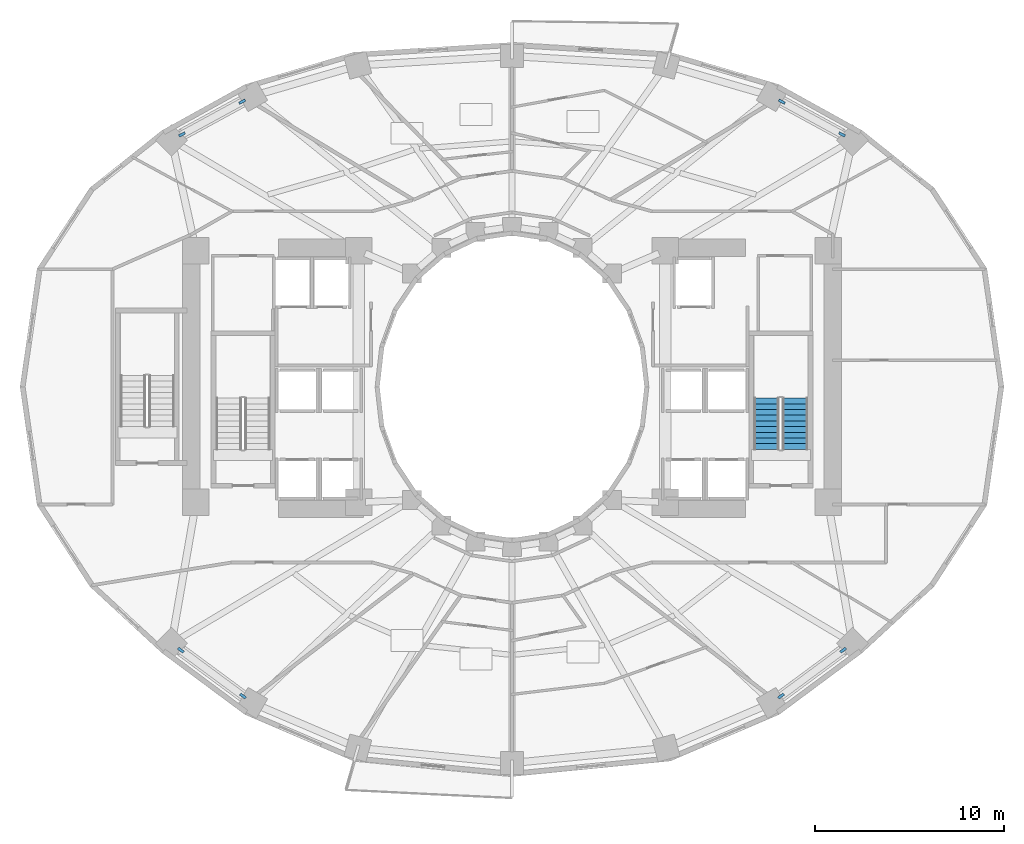
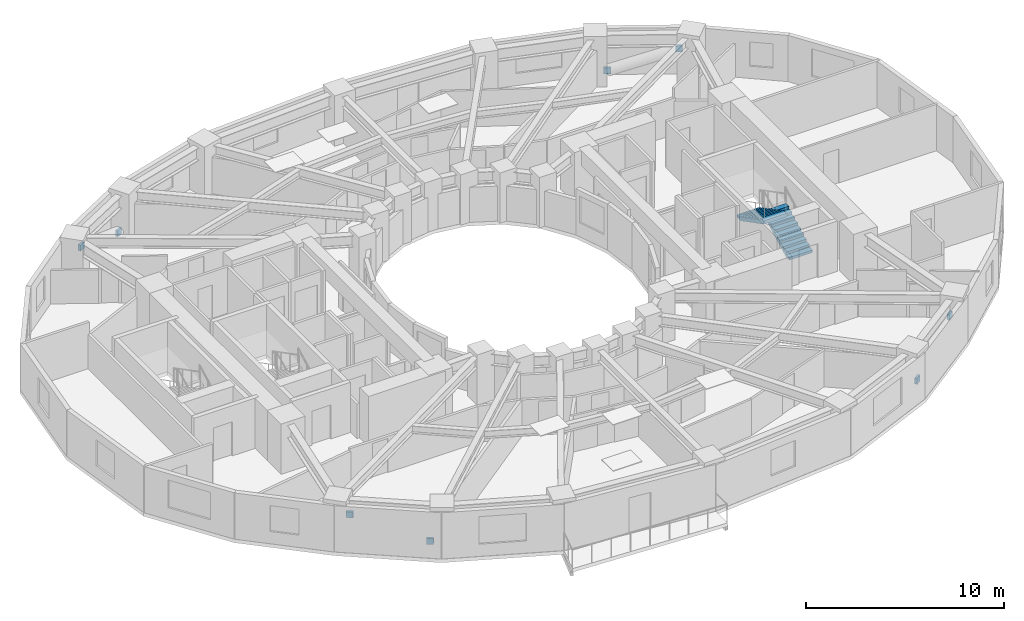
# One storey, part 8 of 10: 8 discrete accessories, 2 stair flights, 1 element without a shape of its own.
"""IFC4 building model written with IfcOpenShell, lengths in metres."""

from ifc_helpers import new_model, si_unit, direction, frame, origin, origin_2d, place, context, subcontext, project, spatial, polyline, rectangle, outline, extrude, material, layer, layer_set, type_object, element, aggregate, save


model = new_model("IFC4")

# Units and contexts
model_context = context("Model", 3, precision=1e-05, world=origin(), true_north=direction((0.0, 1.0)))
body_context = subcontext(model_context, "Body", "Model", "MODEL_VIEW")
ifc_project = project(units=[si_unit("LENGTHUNIT", "METRE"), si_unit("AREAUNIT", "SQUARE_METRE"), si_unit("VOLUMEUNIT", "CUBIC_METRE"), si_unit("PLANEANGLEUNIT", "RADIAN"), si_unit("MASSUNIT", "GRAM", prefix="KILO")], contexts=[model_context])

# Site, building, storey
site_placement = place(None, origin())
site = spatial("IfcSite", under=ifc_project, at=site_placement, CompositionType="ELEMENT")
building_placement = place(site_placement, origin())
building = spatial("IfcBuilding", under=site, at=building_placement, Name="Solvane Sanctuary Tower", CompositionType="ELEMENT")
storey_placement = place(building_placement, frame((0.0, 0.0, 58.60009765625)))
storey = spatial("IfcBuildingStorey", under=building, at=storey_placement, Name="L17", CompositionType="ELEMENT", Elevation=58.60009765625)

# Stair, stair flights
ifc_material_1 = material(Name="Concrete C45/55", Category="concrete")
stair_type = type_object("IfcStairType", Name="Stair ST-TOW", PredefinedType="HALF_TURN_STAIR", material=ifc_material_1)
stair_placement = place(storey_placement, origin())
stair = element("IfcStair", 1, at=stair_placement, inside=storey, type_object=stair_type, Name="L17 Exit Stair ST-2 East Core", PredefinedType="HALF_TURN_STAIR")
stair_flight_type = type_object("IfcStairFlightType", Name="StairFlight SF-TOW", PredefinedType="STRAIGHT", material=ifc_material_1)
stair_flight_1_placement = place(storey_placement, frame((46.965087890625, 19.699951171875, 0.0), z_axis=(0.0, 0.0, 1.0), x_axis=(0.0, 1.0, 0.0)))
stair_flight_1 = element("IfcStairFlight", 2, at=stair_flight_1_placement, type_object=stair_flight_type, Name="ST-2 flight 1", NumberOfRisers=10, NumberOfTreads=9, PredefinedType="STRAIGHT", RiserHeight=0.155, TreadLength=0.3, context=body_context, shape_type="SweptSolid", body=[
    extrude(outline(polyline([(0.0, 0.0), (0.0, 0.155029296875), (0.300048828125, 0.155029296875), (0.300048828125, 0.31005859375), (0.60009765625, 0.31005859375), (0.60009765625, 0.465087890625), (0.89990234375, 0.465087890625), (0.89990234375, 0.6201171875), (1.199951171875, 0.6201171875), (1.199951171875, 0.77490234375), (1.5, 0.77490234375), (1.5, 0.929931640625), (1.800048828125, 0.929931640625), (1.800048828125, 1.0849609375), (2.10009765625, 1.0849609375), (2.10009765625, 1.239990234375), (2.39990234375, 1.239990234375), (2.39990234375, 1.39501953125), (2.699951171875, 1.39501953125), (2.699951171875, 1.550048828125), (2.699951171875, 1.1923828125), (0.39208984375, 0.0), (0.0, 0.0)])), frame((0.0, 0.675048828125, 0.0), z_axis=(0.0, -1.0, 0.0), x_axis=(1.0, 0.0, 0.0)), (0.0, 0.0, 1.0), 1.35009765625),
])
stair_flight_2_placement = place(storey_placement, frame((45.455078125, 22.39990234375, 1.5498046875), z_axis=(0.0, 0.0, 1.0), x_axis=(0.0, -1.0, 0.0)))
stair_flight_2 = element("IfcStairFlight", 3, at=stair_flight_2_placement, type_object=stair_flight_type, Name="ST-2 flight 2", NumberOfRisers=10, NumberOfTreads=9, PredefinedType="STRAIGHT", RiserHeight=0.155, TreadLength=0.3, context=body_context, shape_type="SweptSolid", body=[
    extrude(outline(polyline([(0.0, 0.0), (0.0, 0.155029296875), (0.300048828125, 0.155029296875), (0.300048828125, 0.31005859375), (0.60009765625, 0.31005859375), (0.60009765625, 0.465087890625), (0.89990234375, 0.465087890625), (0.89990234375, 0.6201171875), (1.199951171875, 0.6201171875), (1.199951171875, 0.77490234375), (1.5, 0.77490234375), (1.5, 0.929931640625), (1.800048828125, 0.929931640625), (1.800048828125, 1.0849609375), (2.10009765625, 1.0849609375), (2.10009765625, 1.239990234375), (2.39990234375, 1.239990234375), (2.39990234375, 1.39501953125), (2.699951171875, 1.39501953125), (2.699951171875, 1.550048828125), (2.699951171875, 1.1923828125), (0.39208984375, 0.0), (0.0, 0.0)])), frame((0.0, 0.675048828125, 0.0), z_axis=(0.0, -1.0, 0.0), x_axis=(1.0, 0.0, 0.0)), (0.0, 0.0, 1.0), 1.35009765625),
])
aggregate(stair, [stair_flight_1, stair_flight_2])

# Discrete accessories
ifc_material_2 = material(Name="Steel ASTM A572 Grade 50", Category="steel")
ifc_layer = layer(ifc_material_2, 0.360107421875, Name="Steel ASTM A572 Grade 50")
ifc_layer_set = layer_set([ifc_layer], Name="Steel ASTM A572 Grade 50")
discrete_accessory_type = type_object("IfcDiscreteAccessoryType", Name="Accessory ACC-GUSSET-BRK", PredefinedType="BRACKET", material=ifc_layer_set)
for number, where, z_axis, x_axis, name in (
    (4, (46.25830078125, 38.070068359375, 0.4140625), (0.0, 0.0, 1.0), (0.878066509545, -0.478538613714, 0.0), "L17 Perimeter Braced-Tube Diagonal NE End Gusset Bracket A"),
    (5, (49.438232421875, 36.3369140625, 1.69580078125), (0.0, 0.0, 1.0), (0.878066509545, -0.478538613714, 0.0), "L17 Perimeter Braced-Tube Diagonal NE End Gusset Bracket B"),
    (6, (17.74169921875, 38.070068359375, 0.4140625), (0.0, 0.0, 1.0), (-0.878066509545, -0.478538613714, 0.0), "L17 Perimeter Braced-Tube Diagonal NW End Gusset Bracket A"),
    (7, (14.561767578125, 36.3369140625, 1.69580078125), (0.0, 0.0, 1.0), (-0.878066509545, -0.478538613714, 0.0), "L17 Perimeter Braced-Tube Diagonal NW End Gusset Bracket B"),
    (8, (17.783203125, 6.65771484375, 0.3974609375), (0.0, 0.0, 1.0), (-0.804271929332, 0.594261443885, 0.0), "L17 Perimeter Braced-Tube Diagonal SW End Gusset Bracket A"),
    (9, (14.500244140625, 9.0830078125, 1.720703125), (0.0, 0.0, 1.0), (-0.804271929332, 0.594261443885, 0.0), "L17 Perimeter Braced-Tube Diagonal SW End Gusset Bracket B"),
    (10, (46.216796875, 6.65771484375, 0.3974609375), (0.0, 0.0, 1.0), (0.804271929332, 0.594261443885, 0.0), "L17 Perimeter Braced-Tube Diagonal SE End Gusset Bracket A"),
    (11, (49.499755859375, 9.0830078125, 1.720703125), (0.0, 0.0, 1.0), (0.804271929332, 0.594261443885, 0.0), "L17 Perimeter Braced-Tube Diagonal SE End Gusset Bracket B"),
):
    element("IfcDiscreteAccessory", number, at=place(storey_placement, frame(where, z_axis=z_axis, x_axis=x_axis)), inside=storey, type_object=discrete_accessory_type, Name=name, PredefinedType="BRACKET", context=body_context, shape_type="SweptSolid", body=[
        extrude(rectangle(XDim=0.360107421875, YDim=0.139892578125, at=origin_2d()), origin(), (0.0, 0.0, 1.0), 0.360107421875),
    ])

save(model, "model.ifc")
